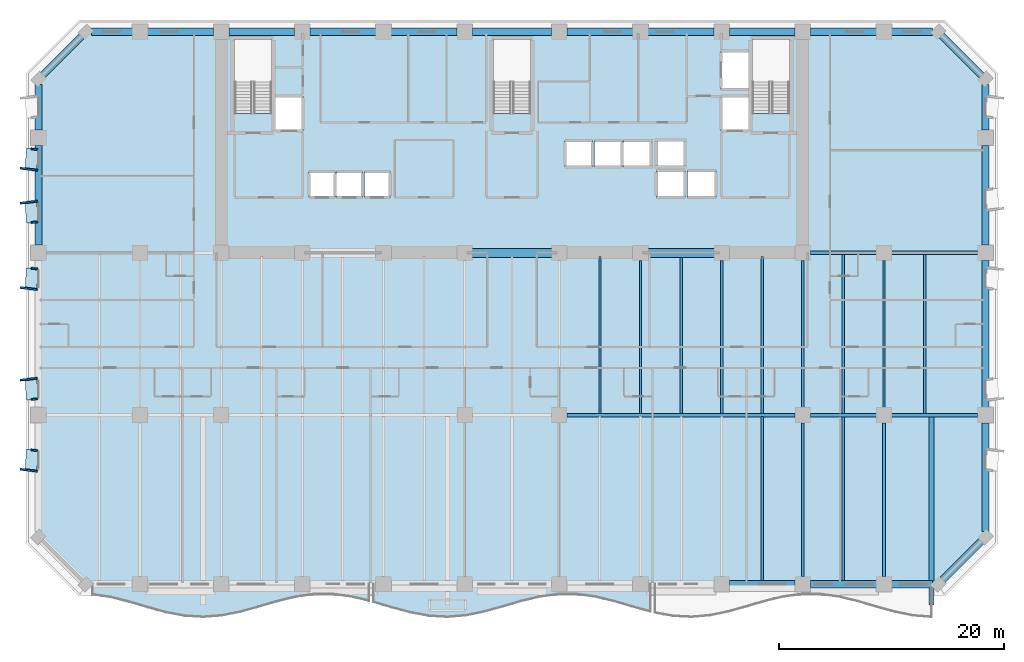
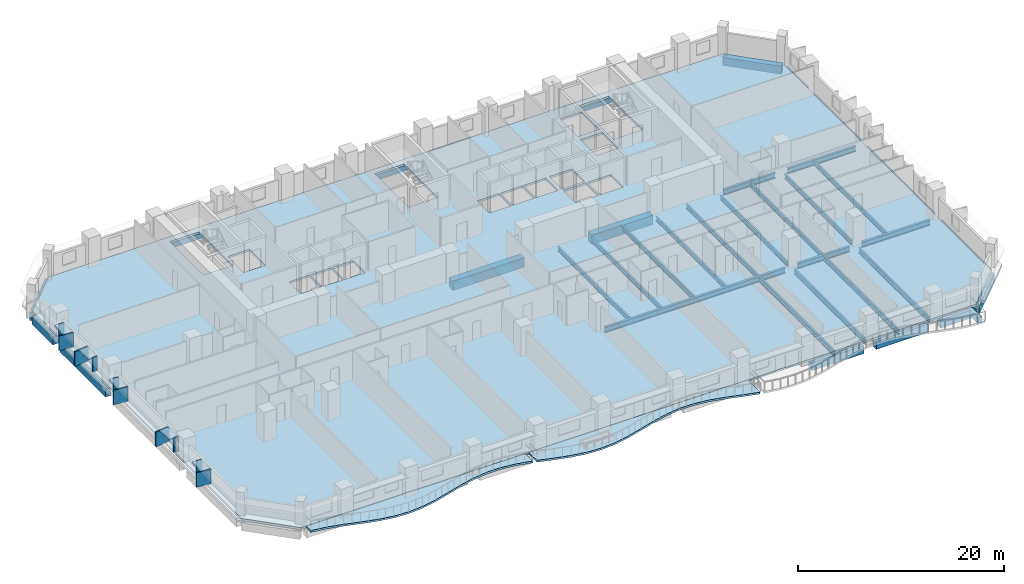
# One storey, part 2 of 15: 44 beams, 15 plates, 3 slabs.
"""IFC4 building model written with IfcOpenShell, lengths in metres."""

from ifc_helpers import new_model, si_unit, direction, frame, origin, origin_2d, place, context, subcontext, project, spatial, polyline, rectangle, i_section, outline, extrude, material, layer, layer_set, material_profile, profile_set, type_object, element, save


model = new_model("IFC4")

# Units and contexts
model_context = context("Model", 3, precision=1e-05, world=origin(), true_north=direction((0.0, 1.0)))
body_context = subcontext(model_context, "Body", "Model", "MODEL_VIEW")
ifc_project = project(units=[si_unit("LENGTHUNIT", "METRE"), si_unit("AREAUNIT", "SQUARE_METRE"), si_unit("VOLUMEUNIT", "CUBIC_METRE"), si_unit("PLANEANGLEUNIT", "RADIAN"), si_unit("MASSUNIT", "GRAM", prefix="KILO")], contexts=[model_context])

# Site, building, storey
site_placement = place(None, origin())
site = spatial("IfcSite", under=ifc_project, at=site_placement, CompositionType="ELEMENT")
building_placement = place(site_placement, origin())
building = spatial("IfcBuilding", under=site, at=building_placement, Name="Kaelvorn Grand Hotel", CompositionType="ELEMENT")
storey_placement = place(building_placement, frame((0.0, 0.0, 72.64990234375)))
storey = spatial("IfcBuildingStorey", under=building, at=storey_placement, Name="L16", CompositionType="ELEMENT", Elevation=72.64990234375)

# Beams
ifc_material_1 = material(Name="Steel S355", Category="steel")
ifc_material_profile_1 = material_profile(ifc_material_1, i_section(OverallWidth=0.300048828125, OverallDepth=0.64990234375, WebThickness=0.01611328125, FlangeThickness=0.031005859375, FilletRadius=0.027099609375, at=origin_2d()), Name="HEB 650")
ifc_profile_set_1 = profile_set([ifc_material_profile_1], Name="Steel S355")
beam_type_1 = type_object("IfcBeamType", Name="BM-G-HEB650-S355", PredefinedType="BEAM", material=ifc_profile_set_1)
beam_1_placement = place(storey_placement, frame((46.885009765625, 15.0, -0.56494140625), z_axis=(1.0, 0.0, 0.0), x_axis=(0.0, 1.0, 0.0)))
element("IfcBeam", 1, at=beam_1_placement, inside=storey, type_object=beam_type_1, Name="L16 Primary Spine Steel Girder G-15 05", PredefinedType="BEAM", context=body_context, shape_type="SweptSolid", body=[
    extrude(i_section(OverallWidth=0.300048828125, OverallDepth=0.64990234375, WebThickness=0.01611328125, FlangeThickness=0.031005859375, FilletRadius=0.027099609375, at=origin_2d()), origin(), (0.0, 0.0, 1.0), 20.22998046875),
])
beam_2_placement = place(storey_placement, frame((68.485107421875, 15.0, -0.56494140625), z_axis=(1.0, 0.0, 0.0), x_axis=(0.0, 1.0, 0.0)))
element("IfcBeam", 2, at=beam_2_placement, inside=storey, type_object=beam_type_1, Name="L16 Primary Spine Steel Girder G-15 06", PredefinedType="BEAM", context=body_context, shape_type="SweptSolid", body=[
    extrude(i_section(OverallWidth=0.300048828125, OverallDepth=0.64990234375, WebThickness=0.01611328125, FlangeThickness=0.031005859375, FilletRadius=0.027099609375, at=origin_2d()), origin(), (0.0, 0.0, 1.0), 5.829833984375),
])
beam_3_placement = place(storey_placement, frame((75.68505859375, 15.0, -0.56494140625), z_axis=(1.0, 0.0, 0.0), x_axis=(0.0, 1.0, 0.0)))
element("IfcBeam", 3, at=beam_3_placement, inside=storey, type_object=beam_type_1, Name="L16 Primary Spine Steel Girder G-15 07", PredefinedType="BEAM", context=body_context, shape_type="SweptSolid", body=[
    extrude(i_section(OverallWidth=0.300048828125, OverallDepth=0.64990234375, WebThickness=0.01611328125, FlangeThickness=0.031005859375, FilletRadius=0.027099609375, at=origin_2d()), origin(), (0.0, 0.0, 1.0), 7.6298828125),
])
beam_4_placement = place(storey_placement, frame((68.485107421875, 29.39990234375, -0.56494140625), z_axis=(1.0, 0.0, 0.0), x_axis=(0.0, 1.0, 0.0)))
element("IfcBeam", 4, at=beam_4_placement, inside=storey, type_object=beam_type_1, Name="L16 East Core Wing Steel Girder G-29E 01", PredefinedType="BEAM", context=body_context, shape_type="SweptSolid", body=[
    extrude(i_section(OverallWidth=0.300048828125, OverallDepth=0.64990234375, WebThickness=0.01611328125, FlangeThickness=0.031005859375, FilletRadius=0.027099609375, at=origin_2d()), origin(), (0.0, 0.0, 1.0), 5.829833984375),
])
beam_5_placement = place(storey_placement, frame((75.68505859375, 29.39990234375, -0.56494140625), z_axis=(1.0, 0.0, 0.0), x_axis=(0.0, 1.0, 0.0)))
element("IfcBeam", 5, at=beam_5_placement, inside=storey, type_object=beam_type_1, Name="L16 East Core Wing Steel Girder G-29E 02", PredefinedType="BEAM", context=body_context, shape_type="SweptSolid", body=[
    extrude(i_section(OverallWidth=0.300048828125, OverallDepth=0.64990234375, WebThickness=0.01611328125, FlangeThickness=0.031005859375, FilletRadius=0.027099609375, at=origin_2d()), origin(), (0.0, 0.0, 1.0), 7.6298828125),
])
ifc_material_profile_2 = material_profile(ifc_material_1, i_section(OverallWidth=0.209228515625, OverallDepth=0.533203125, WebThickness=0.010009765625, FlangeThickness=0.015625, FilletRadius=0.0126953125, at=origin_2d()), Name="UB 533x210x92")
ifc_profile_set_2 = profile_set([ifc_material_profile_2], Name="Steel S355")
beam_type_2 = type_object("IfcBeamType", Name="BM-J-UB533-S355", PredefinedType="JOIST", material=ifc_profile_set_2)
beam_6_placement = place(storey_placement, frame((49.800048828125, 15.135009765625, -0.50634765625), z_axis=(0.0, 1.0, 0.0), x_axis=(-1.0, 0.0, 0.0)))
element("IfcBeam", 6, at=beam_6_placement, inside=storey, type_object=beam_type_2, Name="L16 Composite Floor Joist JM-14", PredefinedType="JOIST", context=body_context, shape_type="SweptSolid", body=[
    extrude(i_section(OverallWidth=0.209228515625, OverallDepth=0.533203125, WebThickness=0.010009765625, FlangeThickness=0.015625, FilletRadius=0.0126953125, at=origin_2d()), origin(), (0.0, 0.0, 1.0), 13.925048828125),
])
beam_7_placement = place(storey_placement, frame((53.39990234375, 15.135009765625, -0.50634765625), z_axis=(0.0, 1.0, 0.0), x_axis=(-1.0, 0.0, 0.0)))
element("IfcBeam", 7, at=beam_7_placement, inside=storey, type_object=beam_type_2, Name="L16 Composite Floor Joist JM-15", PredefinedType="JOIST", context=body_context, shape_type="SweptSolid", body=[
    extrude(i_section(OverallWidth=0.209228515625, OverallDepth=0.533203125, WebThickness=0.010009765625, FlangeThickness=0.015625, FilletRadius=0.0126953125, at=origin_2d()), origin(), (0.0, 0.0, 1.0), 13.580078125),
])
beam_8_placement = place(storey_placement, frame((57.0, 15.135009765625, -0.50634765625), z_axis=(0.0, 1.0, 0.0), x_axis=(-1.0, 0.0, 0.0)))
element("IfcBeam", 8, at=beam_8_placement, inside=storey, type_object=beam_type_2, Name="L16 Composite Floor Joist JM-16", PredefinedType="JOIST", context=body_context, shape_type="SweptSolid", body=[
    extrude(i_section(OverallWidth=0.209228515625, OverallDepth=0.533203125, WebThickness=0.010009765625, FlangeThickness=0.015625, FilletRadius=0.0126953125, at=origin_2d()), origin(), (0.0, 0.0, 1.0), 13.925048828125),
])
beam_9_placement = place(storey_placement, frame((60.60009765625, 15.135009765625, -0.50634765625), z_axis=(0.0, 1.0, 0.0), x_axis=(-1.0, 0.0, 0.0)))
element("IfcBeam", 9, at=beam_9_placement, inside=storey, type_object=beam_type_2, Name="L16 Composite Floor Joist JM-17", PredefinedType="JOIST", context=body_context, shape_type="SweptSolid", body=[
    extrude(i_section(OverallWidth=0.209228515625, OverallDepth=0.533203125, WebThickness=0.010009765625, FlangeThickness=0.015625, FilletRadius=0.0126953125, at=origin_2d()), origin(), (0.0, 0.0, 1.0), 13.580078125),
])
beam_10_placement = place(storey_placement, frame((64.199951171875, 15.135009765625, -0.50634765625), z_axis=(0.0, 1.0, 0.0), x_axis=(-1.0, 0.0, 0.0)))
element("IfcBeam", 10, at=beam_10_placement, inside=storey, type_object=beam_type_2, Name="L16 Composite Floor Joist JM-18", PredefinedType="JOIST", context=body_context, shape_type="SweptSolid", body=[
    extrude(i_section(OverallWidth=0.209228515625, OverallDepth=0.533203125, WebThickness=0.010009765625, FlangeThickness=0.015625, FilletRadius=0.0126953125, at=origin_2d()), origin(), (0.0, 0.0, 1.0), 13.925048828125),
])
beam_11_placement = place(storey_placement, frame((67.800048828125, 15.68505859375, -0.50634765625), z_axis=(0.0, 1.0, 0.0), x_axis=(-1.0, 0.0, 0.0)))
element("IfcBeam", 11, at=beam_11_placement, inside=storey, type_object=beam_type_2, Name="L16 Composite Floor Joist JM-19", PredefinedType="JOIST", context=body_context, shape_type="SweptSolid", body=[
    extrude(i_section(OverallWidth=0.209228515625, OverallDepth=0.533203125, WebThickness=0.010009765625, FlangeThickness=0.015625, FilletRadius=0.0126953125, at=origin_2d()), origin(), (0.0, 0.0, 1.0), 13.030029296875),
])
beam_12_placement = place(storey_placement, frame((71.39990234375, 15.135009765625, -0.50634765625), z_axis=(0.0, 1.0, 0.0), x_axis=(-1.0, 0.0, 0.0)))
element("IfcBeam", 12, at=beam_12_placement, inside=storey, type_object=beam_type_2, Name="L16 Composite Floor Joist JM-20", PredefinedType="JOIST", context=body_context, shape_type="SweptSolid", body=[
    extrude(i_section(OverallWidth=0.209228515625, OverallDepth=0.533203125, WebThickness=0.010009765625, FlangeThickness=0.015625, FilletRadius=0.0126953125, at=origin_2d()), origin(), (0.0, 0.0, 1.0), 14.1298828125),
])
beam_13_placement = place(storey_placement, frame((75.0, 15.68505859375, -0.50634765625), z_axis=(0.0, 1.0, 0.0), x_axis=(-1.0, 0.0, 0.0)))
element("IfcBeam", 13, at=beam_13_placement, inside=storey, type_object=beam_type_2, Name="L16 Composite Floor Joist JM-21", PredefinedType="JOIST", context=body_context, shape_type="SweptSolid", body=[
    extrude(i_section(OverallWidth=0.209228515625, OverallDepth=0.533203125, WebThickness=0.010009765625, FlangeThickness=0.015625, FilletRadius=0.0126953125, at=origin_2d()), origin(), (0.0, 0.0, 1.0), 13.030029296875),
])
beam_14_placement = place(storey_placement, frame((78.60009765625, 15.135009765625, -0.50634765625), z_axis=(0.0, 1.0, 0.0), x_axis=(-1.0, 0.0, 0.0)))
element("IfcBeam", 14, at=beam_14_placement, inside=storey, type_object=beam_type_2, Name="L16 Composite Floor Joist JM-22", PredefinedType="JOIST", context=body_context, shape_type="SweptSolid", body=[
    extrude(i_section(OverallWidth=0.209228515625, OverallDepth=0.533203125, WebThickness=0.010009765625, FlangeThickness=0.015625, FilletRadius=0.0126953125, at=origin_2d()), origin(), (0.0, 0.0, 1.0), 14.1298828125),
])
ifc_material_profile_3 = material_profile(ifc_material_1, i_section(OverallWidth=0.22900390625, OverallDepth=0.6123046875, WebThickness=0.011962890625, FlangeThickness=0.01953125, FilletRadius=0.0126953125, at=origin_2d()), Name="UB 610x229x125")
ifc_profile_set_3 = profile_set([ifc_material_profile_3], Name="Steel S355")
beam_type_3 = type_object("IfcBeamType", Name="BM-J-UB610-S355", PredefinedType="JOIST", material=ifc_profile_set_3)
beam_15_placement = place(storey_placement, frame((64.199951171875, 0.31005859375, -0.5458984375), z_axis=(0.0, 1.0, 0.0), x_axis=(-1.0, 0.0, 0.0)))
element("IfcBeam", 15, at=beam_15_placement, inside=storey, type_object=beam_type_3, Name="L16 Composite Floor Joist JS-18", PredefinedType="JOIST", context=body_context, shape_type="SweptSolid", body=[
    extrude(i_section(OverallWidth=0.22900390625, OverallDepth=0.6123046875, WebThickness=0.011962890625, FlangeThickness=0.01953125, FilletRadius=0.0126953125, at=origin_2d()), origin(), (0.0, 0.0, 1.0), 14.554931640625),
])
beam_16_placement = place(storey_placement, frame((67.800048828125, 0.68505859375, -0.5458984375), z_axis=(0.0, 1.0, 0.0), x_axis=(-1.0, 0.0, 0.0)))
element("IfcBeam", 16, at=beam_16_placement, inside=storey, type_object=beam_type_3, Name="L16 Composite Floor Joist JS-19", PredefinedType="JOIST", context=body_context, shape_type="SweptSolid", body=[
    extrude(i_section(OverallWidth=0.22900390625, OverallDepth=0.6123046875, WebThickness=0.011962890625, FlangeThickness=0.01953125, FilletRadius=0.0126953125, at=origin_2d()), origin(), (0.0, 0.0, 1.0), 13.6298828125),
])
beam_17_placement = place(storey_placement, frame((71.39990234375, 0.31005859375, -0.5458984375), z_axis=(0.0, 1.0, 0.0), x_axis=(-1.0, 0.0, 0.0)))
element("IfcBeam", 17, at=beam_17_placement, inside=storey, type_object=beam_type_3, Name="L16 Composite Floor Joist JS-20", PredefinedType="JOIST", context=body_context, shape_type="SweptSolid", body=[
    extrude(i_section(OverallWidth=0.22900390625, OverallDepth=0.6123046875, WebThickness=0.011962890625, FlangeThickness=0.01953125, FilletRadius=0.0126953125, at=origin_2d()), origin(), (0.0, 0.0, 1.0), 14.554931640625),
])
beam_18_placement = place(storey_placement, frame((75.0, 0.68505859375, -0.5458984375), z_axis=(0.0, 1.0, 0.0), x_axis=(-1.0, 0.0, 0.0)))
element("IfcBeam", 18, at=beam_18_placement, inside=storey, type_object=beam_type_3, Name="L16 Composite Floor Joist JS-21", PredefinedType="JOIST", context=body_context, shape_type="SweptSolid", body=[
    extrude(i_section(OverallWidth=0.22900390625, OverallDepth=0.6123046875, WebThickness=0.011962890625, FlangeThickness=0.01953125, FilletRadius=0.0126953125, at=origin_2d()), origin(), (0.0, 0.0, 1.0), 13.6298828125),
])
ifc_material_2 = material(Name="Concrete C60/75", Category="concrete")
ifc_material_profile_4 = material_profile(ifc_material_2, rectangle(XDim=0.800048828125, YDim=1.10009765625, at=origin_2d()), Name="RC LINTEL 800x1100")
ifc_profile_set_4 = profile_set([ifc_material_profile_4], Name="Concrete C60/75")
beam_type_4 = type_object("IfcBeamType", Name="BM-LIN-800x1100-C60", PredefinedType="LINTEL", material=ifc_profile_set_4)
beam_19_placement = place(storey_placement, frame((37.97998046875, 29.39990234375, -0.789794921875), z_axis=(1.0, 0.0, 0.0), x_axis=(0.0, 1.0, 0.0)))
element("IfcBeam", 19, at=beam_19_placement, inside=storey, type_object=beam_type_4, Name="L16 Rear-Core Coupling Lintel Beam CB1-02", PredefinedType="LINTEL", context=body_context, shape_type="SweptSolid", body=[
    extrude(rectangle(XDim=0.800048828125, YDim=1.10009765625, at=origin_2d()), origin(), (0.0, 0.0, 1.0), 8.0400390625),
])
beam_20_placement = place(storey_placement, frame((53.580078125, 29.39990234375, -0.789794921875), z_axis=(1.0, 0.0, 0.0), x_axis=(0.0, 1.0, 0.0)))
element("IfcBeam", 20, at=beam_20_placement, inside=storey, type_object=beam_type_4, Name="L16 Rear-Core Coupling Lintel Beam CB1-03", PredefinedType="LINTEL", context=body_context, shape_type="SweptSolid", body=[
    extrude(rectangle(XDim=0.800048828125, YDim=1.10009765625, at=origin_2d()), origin(), (0.0, 0.0, 1.0), 6.83984375),
])
ifc_material_3 = material(Name="Concrete C40/50", Category="concrete")
ifc_material_profile_5 = material_profile(ifc_material_3, rectangle(XDim=0.449951171875, YDim=0.64990234375, at=origin_2d()), Name="RC RIB 450x650")
ifc_profile_set_5 = profile_set([ifc_material_profile_5], Name="Concrete C40/50")
beam_type_5 = type_object("IfcBeamType", Name="BM-RIB-450x650-C40", PredefinedType="SPANDREL", material=ifc_profile_set_5)
beam_21_placement = place(storey_placement, frame((79.199951171875, -1.85009765625, -0.544921875), z_axis=(0.0, 1.0, 0.0), x_axis=(-1.0, 0.0, 0.0)))
element("IfcBeam", 21, at=beam_21_placement, inside=storey, type_object=beam_type_5, Name="L16 Cantilevered Balcony Back-Span Rib RB1-3", PredefinedType="SPANDREL", context=body_context, shape_type="SweptSolid", body=[
    extrude(rectangle(XDim=0.449951171875, YDim=0.64990234375, at=origin_2d()), origin(), (0.0, 0.0, 1.0), 16.715087890625),
])
ifc_material_profile_6 = material_profile(ifc_material_2, rectangle(XDim=0.64990234375, YDim=0.949951171875, at=origin_2d()), Name="RC SPANDREL 650x950")
ifc_profile_set_6 = profile_set([ifc_material_profile_6], Name="Concrete C60/75")
beam_type_6 = type_object("IfcBeamType", Name="BM-SP-650x950-C60", PredefinedType="SPANDREL", material=ifc_profile_set_6)
beam_22_placement = place(storey_placement, frame((61.284912109375, 0.0, -0.71484375), z_axis=(1.0, 0.0, 0.0), x_axis=(0.0, 1.0, 0.0)))
element("IfcBeam", 22, at=beam_22_placement, inside=storey, type_object=beam_type_6, Name="L16 South Perimeter Spandrel 09", PredefinedType="SPANDREL", context=body_context, shape_type="SweptSolid", body=[
    extrude(rectangle(XDim=0.64990234375, YDim=0.949951171875, at=origin_2d()), origin(), (0.0, 0.0, 1.0), 5.830078125),
])
beam_23_placement = place(storey_placement, frame((68.485107421875, 0.0, -0.71484375), z_axis=(1.0, 0.0, 0.0), x_axis=(0.0, 1.0, 0.0)))
element("IfcBeam", 23, at=beam_23_placement, inside=storey, type_object=beam_type_6, Name="L16 South Perimeter Spandrel 10", PredefinedType="SPANDREL", context=body_context, shape_type="SweptSolid", body=[
    extrude(rectangle(XDim=0.64990234375, YDim=0.949951171875, at=origin_2d()), origin(), (0.0, 0.0, 1.0), 5.829833984375),
])
for number, where, z_axis, x_axis, name in (
    (24, (75.68505859375, 0.0, -0.71484375), (1.0, 0.0, 0.0), (0.0, 1.0, 0.0), "L16 South Perimeter Spandrel 11"),
    (25, (4.68505859375, 49.0, -0.71484375), (1.0, 0.0, 0.0), (0.0, 1.0, 0.0), "L16 North Perimeter Spandrel 01"),
):
    element("IfcBeam", number, at=place(storey_placement, frame(where, z_axis=z_axis, x_axis=x_axis)), inside=storey, type_object=beam_type_6, Name=name, PredefinedType="SPANDREL", context=body_context, shape_type="SweptSolid", body=[
        extrude(rectangle(XDim=0.64990234375, YDim=0.949951171875, at=origin_2d()), origin(), (0.0, 0.0, 1.0), 3.6298828125),
    ])
beam_24_placement = place(storey_placement, frame((9.68505859375, 49.0, -0.71484375), z_axis=(1.0, 0.0, 0.0), x_axis=(0.0, 1.0, 0.0)))
element("IfcBeam", 26, at=beam_24_placement, inside=storey, type_object=beam_type_6, Name="L16 North Perimeter Spandrel 02", PredefinedType="SPANDREL", context=body_context, shape_type="SweptSolid", body=[
    extrude(rectangle(XDim=0.64990234375, YDim=0.949951171875, at=origin_2d()), origin(), (0.0, 0.0, 1.0), 5.829833984375),
])
for number, where, z_axis, x_axis, name in (
    (27, (16.885009765625, 49.0, -0.71484375), (1.0, 0.0, 0.0), (0.0, 1.0, 0.0), "L16 North Perimeter Spandrel 03"),
    (28, (24.0849609375, 49.0, -0.71484375), (1.0, 0.0, 0.0), (0.0, 1.0, 0.0), "L16 North Perimeter Spandrel 04"),
    (29, (31.284912109375, 49.0, -0.71484375), (1.0, 0.0, 0.0), (0.0, 1.0, 0.0), "L16 North Perimeter Spandrel 05"),
):
    element("IfcBeam", number, at=place(storey_placement, frame(where, z_axis=z_axis, x_axis=x_axis)), inside=storey, type_object=beam_type_6, Name=name, PredefinedType="SPANDREL", context=body_context, shape_type="SweptSolid", body=[
        extrude(rectangle(XDim=0.64990234375, YDim=0.949951171875, at=origin_2d()), origin(), (0.0, 0.0, 1.0), 5.830078125),
    ])
beam_25_placement = place(storey_placement, frame((38.485107421875, 49.0, -0.71484375), z_axis=(1.0, 0.0, 0.0), x_axis=(0.0, 1.0, 0.0)))
element("IfcBeam", 30, at=beam_25_placement, inside=storey, type_object=beam_type_6, Name="L16 North Perimeter Spandrel 06", PredefinedType="SPANDREL", context=body_context, shape_type="SweptSolid", body=[
    extrude(rectangle(XDim=0.64990234375, YDim=0.949951171875, at=origin_2d()), origin(), (0.0, 0.0, 1.0), 7.02978515625),
])
for number, where, z_axis, x_axis, name in (
    (31, (46.885009765625, 49.0, -0.71484375), (1.0, 0.0, 0.0), (0.0, 1.0, 0.0), "L16 North Perimeter Spandrel 07"),
    (32, (54.0849609375, 49.0, -0.71484375), (1.0, 0.0, 0.0), (0.0, 1.0, 0.0), "L16 North Perimeter Spandrel 08"),
    (33, (61.284912109375, 49.0, -0.71484375), (1.0, 0.0, 0.0), (0.0, 1.0, 0.0), "L16 North Perimeter Spandrel 09"),
):
    element("IfcBeam", number, at=place(storey_placement, frame(where, z_axis=z_axis, x_axis=x_axis)), inside=storey, type_object=beam_type_6, Name=name, PredefinedType="SPANDREL", context=body_context, shape_type="SweptSolid", body=[
        extrude(rectangle(XDim=0.64990234375, YDim=0.949951171875, at=origin_2d()), origin(), (0.0, 0.0, 1.0), 5.830078125),
    ])
beam_26_placement = place(storey_placement, frame((68.485107421875, 49.0, -0.71484375), z_axis=(1.0, 0.0, 0.0), x_axis=(0.0, 1.0, 0.0)))
element("IfcBeam", 34, at=beam_26_placement, inside=storey, type_object=beam_type_6, Name="L16 North Perimeter Spandrel 10", PredefinedType="SPANDREL", context=body_context, shape_type="SweptSolid", body=[
    extrude(rectangle(XDim=0.64990234375, YDim=0.949951171875, at=origin_2d()), origin(), (0.0, 0.0, 1.0), 5.829833984375),
])
beam_27_placement = place(storey_placement, frame((75.68505859375, 49.0, -0.71484375), z_axis=(1.0, 0.0, 0.0), x_axis=(0.0, 1.0, 0.0)))
element("IfcBeam", 35, at=beam_27_placement, inside=storey, type_object=beam_type_6, Name="L16 North Perimeter Spandrel 11", PredefinedType="SPANDREL", context=body_context, shape_type="SweptSolid", body=[
    extrude(rectangle(XDim=0.64990234375, YDim=0.949951171875, at=origin_2d()), origin(), (0.0, 0.0, 1.0), 3.6298828125),
])
beam_28_placement = place(storey_placement, frame((0.0, 30.0849609375, -0.71484375), z_axis=(0.0, 1.0, 0.0), x_axis=(-1.0, 0.0, 0.0)))
element("IfcBeam", 36, at=beam_28_placement, inside=storey, type_object=beam_type_6, Name="L16 West Perimeter Spandrel 03", PredefinedType="SPANDREL", context=body_context, shape_type="SweptSolid", body=[
    extrude(rectangle(XDim=0.64990234375, YDim=0.949951171875, at=origin_2d()), origin(), (0.0, 0.0, 1.0), 8.830078125),
])
beam_29_placement = place(storey_placement, frame((0.0, 40.284912109375, -0.71484375), z_axis=(0.0, 1.0, 0.0), x_axis=(-1.0, 0.0, 0.0)))
element("IfcBeam", 37, at=beam_29_placement, inside=storey, type_object=beam_type_6, Name="L16 West Perimeter Spandrel 04", PredefinedType="SPANDREL", context=body_context, shape_type="SweptSolid", body=[
    extrude(rectangle(XDim=0.64990234375, YDim=0.949951171875, at=origin_2d()), origin(), (0.0, 0.0, 1.0), 4.030029296875),
])
beam_30_placement = place(storey_placement, frame((84.0, 4.68505859375, -0.71484375), z_axis=(0.0, 1.0, 0.0), x_axis=(-1.0, 0.0, 0.0)))
element("IfcBeam", 38, at=beam_30_placement, inside=storey, type_object=beam_type_6, Name="L16 East Perimeter Spandrel 01", PredefinedType="SPANDREL", context=body_context, shape_type="SweptSolid", body=[
    extrude(rectangle(XDim=0.64990234375, YDim=0.949951171875, at=origin_2d()), origin(), (0.0, 0.0, 1.0), 9.6298828125),
])
beam_31_placement = place(storey_placement, frame((84.0, 15.68505859375, -0.71484375), z_axis=(0.0, 1.0, 0.0), x_axis=(-1.0, 0.0, 0.0)))
element("IfcBeam", 39, at=beam_31_placement, inside=storey, type_object=beam_type_6, Name="L16 East Perimeter Spandrel 02", PredefinedType="SPANDREL", context=body_context, shape_type="SweptSolid", body=[
    extrude(rectangle(XDim=0.64990234375, YDim=0.949951171875, at=origin_2d()), origin(), (0.0, 0.0, 1.0), 13.030029296875),
])
beam_32_placement = place(storey_placement, frame((84.0, 30.0849609375, -0.71484375), z_axis=(0.0, 1.0, 0.0), x_axis=(-1.0, 0.0, 0.0)))
element("IfcBeam", 40, at=beam_32_placement, inside=storey, type_object=beam_type_6, Name="L16 East Perimeter Spandrel 03", PredefinedType="SPANDREL", context=body_context, shape_type="SweptSolid", body=[
    extrude(rectangle(XDim=0.64990234375, YDim=0.949951171875, at=origin_2d()), origin(), (0.0, 0.0, 1.0), 8.830078125),
])
beam_33_placement = place(storey_placement, frame((84.0, 40.284912109375, -0.71484375), z_axis=(0.0, 1.0, 0.0), x_axis=(-1.0, 0.0, 0.0)))
element("IfcBeam", 41, at=beam_33_placement, inside=storey, type_object=beam_type_6, Name="L16 East Perimeter Spandrel 04", PredefinedType="SPANDREL", context=body_context, shape_type="SweptSolid", body=[
    extrude(rectangle(XDim=0.64990234375, YDim=0.949951171875, at=origin_2d()), origin(), (0.0, 0.0, 1.0), 4.030029296875),
])
for number, where, z_axis, x_axis, name in (
    (42, (79.800048828125, 0.0, -0.71484375), (0.707106781187, 0.707106781187, 0.0), (-0.707106781187, 0.707106781187, 0.0), "L16 Chamfer Spandrel Beam 1"),
    (43, (84.0, 44.800048828125, -0.71484375), (-0.707106781187, 0.707106781187, 0.0), (-0.707106781187, -0.707106781187, 0.0), "L16 Chamfer Spandrel Beam 2"),
    (44, (4.199951171875, 49.0, -0.71484375), (-0.707106781187, -0.707106781187, 0.0), (0.707106781187, -0.707106781187, 0.0), "L16 Chamfer Spandrel Beam 3"),
):
    element("IfcBeam", number, at=place(storey_placement, frame(where, z_axis=z_axis, x_axis=x_axis)), inside=storey, type_object=beam_type_6, Name=name, PredefinedType="SPANDREL", context=body_context, shape_type="SweptSolid", body=[
        extrude(rectangle(XDim=0.64990234375, YDim=0.949951171875, at=origin_2d()), origin(), (0.0, 0.0, 1.0), 5.939697265625),
    ])

# Plates
ifc_material_4 = material(Name="Precast concrete C45/55", Category="concrete")
ifc_layer_1 = layer(ifc_material_4, 0.159912109375)
ifc_layer_set_1 = layer_set([ifc_layer_1], Name="Precast concrete C45/55")
plate_type_1 = type_object("IfcPlateType", Name="PL-FRAME-DEEP-1550", PredefinedType="USERDEFINED", material=ifc_layer_set_1)
for number, where, z_axis, x_axis, name in (
    (45, (-0.864990234375, 10.110107421875, 0.68994140625), (0.0, 0.0, 1.0), (0.121869343405, 0.992546151641, 0.0), "L16 Tilted Precast Window Frame Fin L-W01"),
    (46, (-0.864990234375, 18.18994140625, 0.68994140625), (0.0, 0.0, 1.0), (-0.121869343405, 0.992546151641, 0.0), "L16 Tilted Precast Window Frame Fin R-W02"),
    (47, (-0.864990234375, 26.22509765625, 0.68994140625), (0.0, 0.0, 1.0), (0.121869343405, 0.992546151641, 0.0), "L16 Tilted Precast Window Frame Fin L-W03"),
    (48, (-0.864990234375, 33.889892578125, 0.68994140625), (0.0, 0.0, 1.0), (-0.121869343405, 0.992546151641, 0.0), "L16 Tilted Precast Window Frame Fin R-W04"),
    (49, (-0.864990234375, 36.81005859375, 0.68994140625), (0.0, 0.0, 1.0), (0.121869343405, 0.992546151641, 0.0), "L16 Tilted Precast Window Frame Fin L-W05"),
):
    element("IfcPlate", number, at=place(storey_placement, frame(where, z_axis=z_axis, x_axis=x_axis)), inside=storey, type_object=plate_type_1, Name=name, ObjectType="FLANGE_PLATE", PredefinedType="USERDEFINED", context=body_context, shape_type="SweptSolid", body=[
        extrude(rectangle(XDim=0.159912109375, YDim=1.550048828125, at=origin_2d()), origin(), (0.0, 0.0, 1.0), 1.719970703125),
    ])
ifc_layer_2 = layer(ifc_material_4, 0.159912109375)
ifc_layer_set_2 = layer_set([ifc_layer_2], Name="Precast concrete C45/55")
plate_type_2 = type_object("IfcPlateType", Name="PL-FRAME-HEAD-1050", PredefinedType="USERDEFINED", material=ifc_layer_set_2)
for number, where, z_axis, x_axis, name in (
    (50, (-0.614990234375, 11.0, 2.25), (0.0, 0.0, 1.0), (0.054950179912, 0.998489097451, 0.0), "L16 Precast Window Frame Head Hood H-W01"),
    (51, (-0.614990234375, 17.300048828125, 2.25), (0.0, 0.0, 1.0), (-0.054950179912, 0.998489097451, 0.0), "L16 Precast Window Frame Head Hood H-W02"),
    (52, (-0.614990234375, 27.114990234375, 2.25), (0.0, 0.0, 1.0), (0.054950179912, 0.998489097451, 0.0), "L16 Precast Window Frame Head Hood H-W03"),
    (53, (-0.614990234375, 33.0, 2.25), (0.0, 0.0, 1.0), (-0.054950179912, 0.998489097451, 0.0), "L16 Precast Window Frame Head Hood H-W04"),
    (54, (-0.614990234375, 37.699951171875, 2.25), (0.0, 0.0, 1.0), (0.054950179912, 0.998489097451, 0.0), "L16 Precast Window Frame Head Hood H-W05"),
):
    element("IfcPlate", number, at=place(storey_placement, frame(where, z_axis=z_axis, x_axis=x_axis)), inside=storey, type_object=plate_type_2, Name=name, ObjectType="FLANGE_PLATE", PredefinedType="USERDEFINED", context=body_context, shape_type="SweptSolid", body=[
        extrude(rectangle(XDim=1.860107421875, YDim=1.050048828125, at=origin_2d()), origin(), (0.0, 0.0, 1.0), 0.159912109375),
    ])
ifc_layer_3 = layer(ifc_material_4, 0.159912109375)
ifc_layer_set_3 = layer_set([ifc_layer_3], Name="Precast concrete C45/55")
plate_type_3 = type_object("IfcPlateType", Name="PL-FRAME-SHAL-550", PredefinedType="USERDEFINED", material=ifc_layer_set_3)
for number, where, z_axis, x_axis, name in (
    (55, (-0.364990234375, 11.889892578125, 0.68994140625), (0.0, 0.0, 1.0), (0.121869343405, 0.992546151641, 0.0), "L16 Tilted Precast Window Frame Fin R-W01"),
    (56, (-0.364990234375, 16.409912109375, 0.68994140625), (0.0, 0.0, 1.0), (-0.121869343405, 0.992546151641, 0.0), "L16 Tilted Precast Window Frame Fin L-W02"),
    (57, (-0.364990234375, 28.0048828125, 0.68994140625), (0.0, 0.0, 1.0), (0.121869343405, 0.992546151641, 0.0), "L16 Tilted Precast Window Frame Fin R-W03"),
    (58, (-0.364990234375, 32.110107421875, 0.68994140625), (0.0, 0.0, 1.0), (-0.121869343405, 0.992546151641, 0.0), "L16 Tilted Precast Window Frame Fin L-W04"),
    (59, (-0.364990234375, 38.590087890625, 0.68994140625), (0.0, 0.0, 1.0), (0.121869343405, 0.992546151641, 0.0), "L16 Tilted Precast Window Frame Fin R-W05"),
):
    element("IfcPlate", number, at=place(storey_placement, frame(where, z_axis=z_axis, x_axis=x_axis)), inside=storey, type_object=plate_type_3, Name=name, ObjectType="FLANGE_PLATE", PredefinedType="USERDEFINED", context=body_context, shape_type="SweptSolid", body=[
        extrude(rectangle(XDim=0.159912109375, YDim=0.550048828125, at=origin_2d()), origin(), (0.0, 0.0, 1.0), 1.719970703125),
    ])

# Slabs
ifc_layer_4 = layer(ifc_material_3, 0.219970703125)
ifc_layer_set_4 = layer_set([ifc_layer_4], Name="Concrete C40/50")
slab_type_1 = type_object("IfcSlabType", Name="SLB-BALC-220-C40", PredefinedType="FLOOR", material=ifc_layer_set_4)
slab_1_placement = place(storey_placement, frame((0.0, 0.0, -0.219970703125)))
element("IfcSlab", 60, at=slab_1_placement, inside=storey, type_object=slab_type_1, Name="L16 Scalloped Wave Balcony Slab 1", PredefinedType="FLOOR", context=body_context, shape_type="SweptSolid", body=[
    extrude(outline(polyline([(4.800048828125, -0.900146484375), (6.435546875, -1.153564453125), (8.071044921875, -1.567138671875), (9.706787109375, -2.049072265625), (11.34228515625, -2.492431640625), (12.977783203125, -2.798583984375), (14.61328125, -2.899658203125), (16.248779296875, -2.773193359375), (17.884521484375, -2.447021484375), (19.52001953125, -1.993896484375), (21.155517578125, -1.514404296875), (22.791015625, -1.114990234375), (24.4267578125, -0.884521484375), (26.062255859375, -0.873779296875), (27.69775390625, -1.08544921875), (29.333251953125, -1.47265625), (29.333251953125, 0.0), (4.800048828125, 0.0), (4.800048828125, -0.900146484375)])), origin(), (0.0, 0.0, 1.0), 0.219970703125),
])
slab_2_placement = place(storey_placement, frame((0.0, 0.0, -0.219970703125)))
element("IfcSlab", 61, at=slab_2_placement, inside=storey, type_object=slab_type_1, Name="L16 Scalloped Wave Balcony Slab 2", PredefinedType="FLOOR", context=body_context, shape_type="SweptSolid", body=[
    extrude(outline(polyline([(29.7333984375, -1.584716796875), (31.368896484375, -2.0673828125), (33.00439453125, -2.507080078125), (34.639892578125, -2.806396484375), (36.275634765625, -2.89892578125), (37.9111328125, -2.763916015625), (39.546630859375, -2.431640625), (41.18212890625, -1.9755859375), (42.81787109375, -1.4970703125), (44.453369140625, -1.102783203125), (46.0888671875, -0.8798828125), (47.724365234375, -0.8779296875), (49.360107421875, -1.097412109375), (50.99560546875, -1.48974609375), (52.631103515625, -1.967529296875), (54.2666015625, -2.4248046875), (54.2666015625, 0.0), (29.7333984375, 0.0), (29.7333984375, -1.584716796875)])), origin(), (0.0, 0.0, 1.0), 0.219970703125),
])
ifc_layer_5 = layer(ifc_material_3, 0.239990234375)
ifc_layer_set_5 = layer_set([ifc_layer_5], Name="Concrete C40/50")
slab_type_2 = type_object("IfcSlabType", Name="SLB-FLR-240-C40", PredefinedType="FLOOR", material=ifc_layer_set_5)
slab_3_placement = place(storey_placement, frame((0.0, 0.0, -0.239990234375)))
element("IfcSlab", 62, at=slab_3_placement, inside=storey, type_object=slab_type_2, Name="L16 Indoor Suspended Floor Slab", PredefinedType="FLOOR", context=body_context, shape_type="SweptSolid", body=[
    extrude(outline(polyline([(4.199951171875, 0.0), (79.800048828125, 0.0), (84.0, 4.199951171875), (84.0, 44.800048828125), (79.800048828125, 49.0), (4.199951171875, 49.0), (0.0, 44.800048828125), (0.0, 4.199951171875), (4.199951171875, 0.0)]), holes=[polyline([(17.39990234375, 41.760009765625), (17.39990234375, 48.300048828125), (20.679931640625, 48.300048828125), (20.679931640625, 41.760009765625), (17.39990234375, 41.760009765625)]), polyline([(40.360107421875, 41.760009765625), (40.360107421875, 48.300048828125), (43.639892578125, 48.300048828125), (43.639892578125, 41.760009765625), (40.360107421875, 41.760009765625)]), polyline([(63.320068359375, 41.760009765625), (63.320068359375, 48.300048828125), (66.60009765625, 48.300048828125), (66.60009765625, 41.760009765625), (63.320068359375, 41.760009765625)]), polyline([(24.0, 34.300048828125), (24.0, 36.60009765625), (26.300048828125, 36.60009765625), (26.300048828125, 34.300048828125), (24.0, 34.300048828125)]), polyline([(26.449951171875, 34.300048828125), (26.449951171875, 36.60009765625), (28.75, 36.60009765625), (28.75, 34.300048828125), (26.449951171875, 34.300048828125)]), polyline([(28.89990234375, 34.300048828125), (28.89990234375, 36.60009765625), (31.199951171875, 36.60009765625), (31.199951171875, 34.300048828125), (28.89990234375, 34.300048828125)]), polyline([(46.699951171875, 37.0), (46.699951171875, 39.35009765625), (49.14990234375, 39.35009765625), (49.14990234375, 37.0), (46.699951171875, 37.0)]), polyline([(49.300048828125, 37.0), (49.300048828125, 39.35009765625), (51.75, 39.35009765625), (51.75, 37.0), (49.300048828125, 37.0)]), polyline([(51.89990234375, 37.0), (51.89990234375, 39.35009765625), (54.35009765625, 39.35009765625), (54.35009765625, 37.0), (51.89990234375, 37.0)]), polyline([(54.800048828125, 34.300048828125), (54.800048828125, 36.699951171875), (57.35009765625, 36.699951171875), (57.35009765625, 34.300048828125), (54.800048828125, 34.300048828125)]), polyline([(57.550048828125, 34.300048828125), (57.550048828125, 36.699951171875), (60.10009765625, 36.699951171875), (60.10009765625, 34.300048828125), (57.550048828125, 34.300048828125)]), polyline([(54.800048828125, 37.0), (54.800048828125, 39.39990234375), (57.35009765625, 39.39990234375), (57.35009765625, 37.0), (54.800048828125, 37.0)]), polyline([(21.0, 40.199951171875), (21.0, 43.300048828125), (23.449951171875, 43.300048828125), (23.449951171875, 40.199951171875), (21.0, 40.199951171875)]), polyline([(60.550048828125, 40.199951171875), (60.550048828125, 43.300048828125), (63.0, 43.300048828125), (63.0, 40.199951171875), (60.550048828125, 40.199951171875)]), polyline([(60.550048828125, 43.89990234375), (60.550048828125, 47.300048828125), (63.0, 47.300048828125), (63.0, 43.89990234375), (60.550048828125, 43.89990234375)])]), origin(), (0.0, 0.0, 1.0), 0.239990234375),
])

save(model, "model.ifc")
